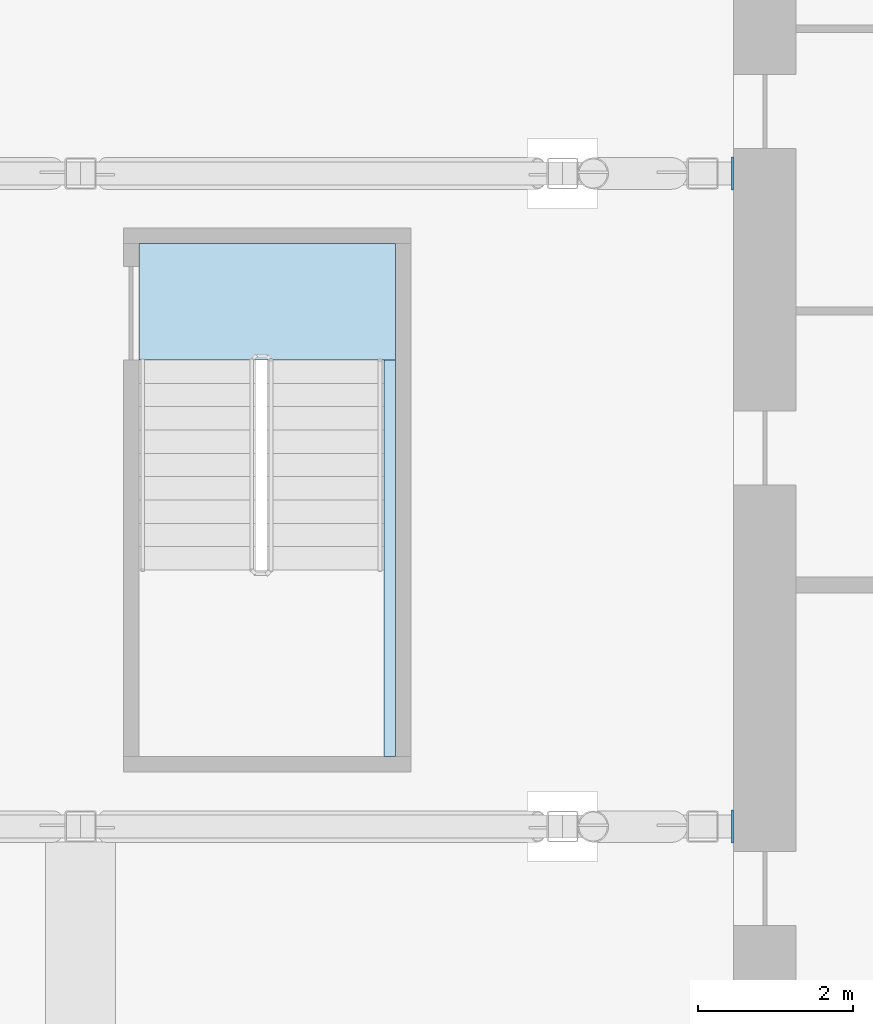
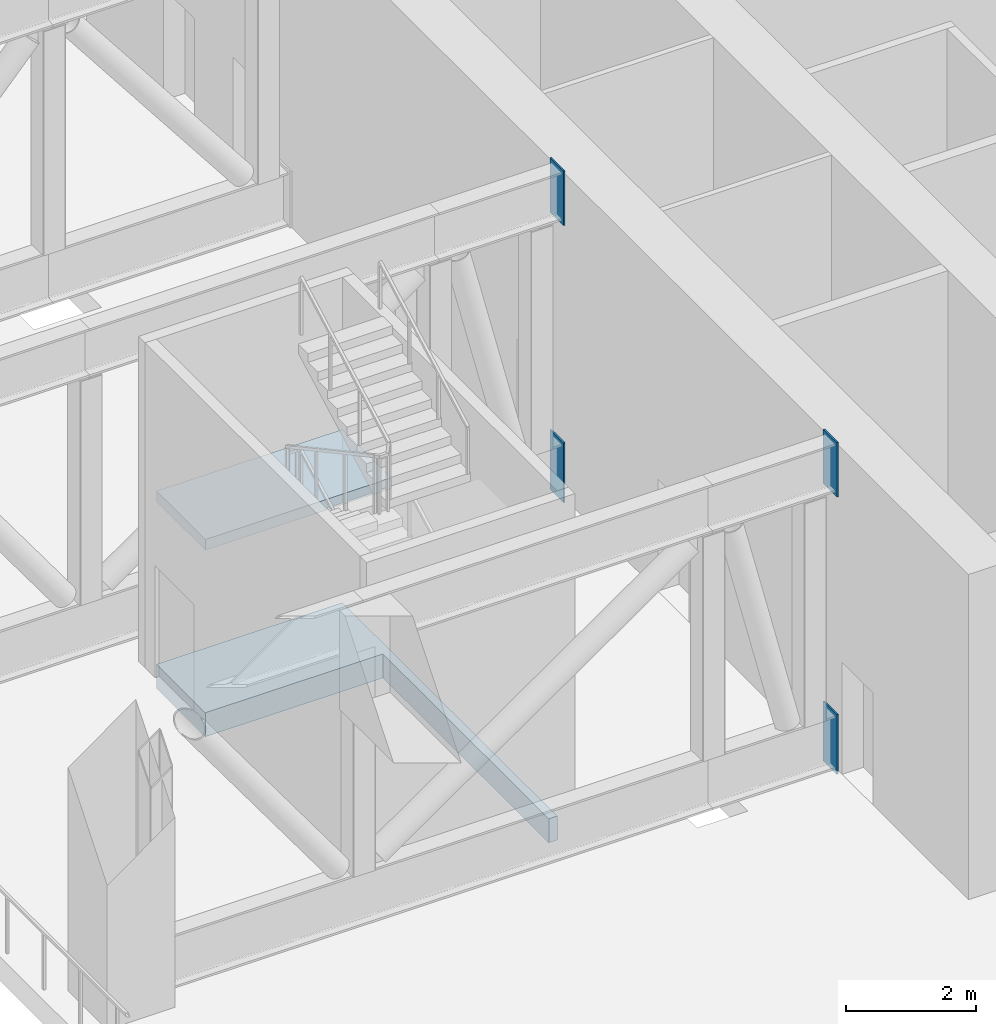
# One storey, part 6 of 23: 4 plates, 2 slabs, 1 element without a shape of its own.
"""IFC4 building model written with IfcOpenShell, lengths in metres."""

import ifcopenshell
import ifcopenshell.guid

model = None  # the IFC model being written
_history = None  # IfcOwnerHistory: only IFC2X3 demands one
_inside = {}  # id of a spatial element -> (the spatial element, [elements in it])
_under = {}  # id of a project, library or spatial element -> (it, [spatial elements below it])
_declared = {}  # id of a project -> (the project, [libraries it declares])
_typed = {}  # id of a type object -> (the type object, [elements of that type])
_made_of = {}  # id of a material, layer set ... -> (it, [elements and type objects made of it])


def new_model(schema):
    """Start an empty IFC model of exactly this schema.

    Asked for "IFC4X3", IfcOpenShell would pick the latest addendum, in which some entities
    have other attributes; the version numbers below select the first issue.
    IFC2X3 requires an IfcOwnerHistory on every rooted entity: one is made here for all.
    """
    global model, _history
    if schema == "IFC4X3":
        model = ifcopenshell.file(schema_version=(4, 3, 0, 0))
    else:
        model = ifcopenshell.file(schema=schema)
    _inside.clear()
    _under.clear()
    _declared.clear()
    _typed.clear()
    _made_of.clear()
    _history = None
    if model.schema == "IFC2X3":
        org = make("IfcOrganization", Name="unknown")
        user = make(
            "IfcPersonAndOrganization",
            ThePerson=make("IfcPerson", FamilyName="unknown"),
            TheOrganization=org,
        )
        app = make(
            "IfcApplication",
            ApplicationDeveloper=org,
            Version="unknown",
            ApplicationFullName="unknown",
            ApplicationIdentifier="unknown",
        )
        _history = make(
            "IfcOwnerHistory",
            OwningUser=user,
            OwningApplication=app,
            ChangeAction="ADDED",
            CreationDate=0,
        )
    return model


def make(cls, **values):
    """One entity of the class cls with the attributes given. An attribute that is None is left unset."""
    return model.create_entity(
        cls, **{name: value for name, value in values.items() if value is not None}
    )


def rooted(cls, **values):
    """An entity with a GlobalId (a new one), such as an element, a storey or a relation."""
    return make(cls, GlobalId=ifcopenshell.guid.new(), OwnerHistory=_history, **values)


def si_unit(unit_type, name, prefix=None):
    """IfcSIUnit, for example si_unit("LENGTHUNIT", "METRE", prefix="MILLI")."""
    return make("IfcSIUnit", UnitType=unit_type, Prefix=prefix, Name=name)


def assignment(units):
    """IfcUnitAssignment: the units of a project."""
    return None if units is None else make("IfcUnitAssignment", Units=units)


def point(xyz):
    """IfcCartesianPoint."""
    return None if xyz is None else make("IfcCartesianPoint", Coordinates=xyz)


def direction(xyz):
    """IfcDirection."""
    return None if xyz is None else make("IfcDirection", DirectionRatios=xyz)


def frame(location, z_axis=None, x_axis=None):
    """IfcAxis2Placement3D, a coordinate frame: its origin and axes. An axis left out is left unset."""
    return make(
        "IfcAxis2Placement3D",
        Location=point(location),
        Axis=direction(z_axis),
        RefDirection=direction(x_axis),
    )


def frame_2d(location, x_axis=None):
    """IfcAxis2Placement2D, a coordinate frame in the plane: its origin and x axis."""
    return make(
        "IfcAxis2Placement2D", Location=point(location), RefDirection=direction(x_axis)
    )


def origin():
    """The frame at (0, 0, 0) with its axes left unset."""
    return frame((0.0, 0.0, 0.0))


def origin_2d():
    """The frame at (0, 0) in the plane with its x axis left unset."""
    return frame_2d((0.0, 0.0))


def place(relative_to, where):
    """IfcLocalPlacement: puts the frame where relative to a parent placement (None: the world)."""
    return make(
        "IfcLocalPlacement", PlacementRelTo=relative_to, RelativePlacement=where
    )


def context(
    kind, dimensions, precision=None, world=None, true_north=None, identifier=None
):
    """IfcGeometricRepresentationContext, for example the 3D "Model" context."""
    return make(
        "IfcGeometricRepresentationContext",
        ContextIdentifier=identifier,
        ContextType=kind,
        CoordinateSpaceDimension=dimensions,
        Precision=precision,
        WorldCoordinateSystem=world,
        TrueNorth=true_north,
    )


def subcontext(parent, identifier, kind, view, scale=None):
    """IfcGeometricRepresentationSubContext, for example "Body" below "Model"."""
    return make(
        "IfcGeometricRepresentationSubContext",
        ContextIdentifier=identifier,
        ContextType=kind,
        ParentContext=parent,
        TargetScale=scale,
        TargetView=view,
    )


def project(units=None, contexts=None):
    """IfcProject with its units and contexts."""
    return rooted(
        "IfcProject",
        Name="project",
        RepresentationContexts=contexts,
        UnitsInContext=assignment(units),
    )


def spatial(cls, under=None, at=None, **own):
    """A site, building, storey or space (cls), placed at a placement, below another one or the project."""
    s = rooted(cls, ObjectPlacement=at, **own)
    if under is not None:
        _under.setdefault(under.id(), (under, []))[1].append(s)
    return s


def polyline(points):
    """IfcPolyline through the points."""
    return make("IfcPolyline", Points=[point(p) for p in points])


def profile(cls, at=None, kind="AREA", **sizes):
    """A parametric profile (cls). Its sizes go by their IFC names, for example OverallWidth=200.0."""
    return make(cls, ProfileType=kind, Position=at, **sizes)


def rectangle(**sizes):
    """IfcRectangleProfileDef."""
    return profile("IfcRectangleProfileDef", **sizes)


def outline(outer, holes=None, kind="AREA"):
    """IfcArbitraryClosedProfileDef: a profile drawn as a closed curve; with holes, ...WithVoids."""
    if holes is None:
        return make("IfcArbitraryClosedProfileDef", ProfileType=kind, OuterCurve=outer)
    return make(
        "IfcArbitraryProfileDefWithVoids",
        ProfileType=kind,
        OuterCurve=outer,
        InnerCurves=holes,
    )


def extrude(swept, where, along, depth):
    """IfcExtrudedAreaSolid: the profile swept, set in the frame where, extruded along a direction by depth."""
    return make(
        "IfcExtrudedAreaSolid",
        SweptArea=swept,
        Position=where,
        ExtrudedDirection=direction(along),
        Depth=depth,
    )


def shape(context_of_items, identifier, shape_type, items):
    """IfcShapeRepresentation: the items that make up one representation, for example the "Body"."""
    return make(
        "IfcShapeRepresentation",
        ContextOfItems=context_of_items,
        RepresentationIdentifier=identifier,
        RepresentationType=shape_type,
        Items=items,
    )


def material(Name=None, Category=None):
    """IfcMaterial."""
    return make("IfcMaterial", Name=Name, Category=Category)


def layer(
    of_material, thickness, ventilated=None, Name=None, Category=None, Priority=None
):
    """IfcMaterialLayer: one layer of a wall or slab, of a material (None: an air gap)."""
    return make(
        "IfcMaterialLayer",
        Material=of_material,
        LayerThickness=thickness,
        IsVentilated=ventilated,
        Name=Name,
        Category=Category,
        Priority=Priority,
    )


def layer_set(layers, Name=None):
    """IfcMaterialLayerSet."""
    return make("IfcMaterialLayerSet", MaterialLayers=layers, LayerSetName=Name)


def made_of(thing, what):
    """Note that an element or type object is made of a material, layer set ...; save() writes the relation."""
    if what is not None:
        _made_of.setdefault(what.id(), (what, []))[1].append(thing)
    return thing


def type_object(cls, material=None, **own):
    """A type object (cls), such as IfcWallType, which elements share."""
    return made_of(rooted(cls, **own), material)


def element(
    cls,
    number,
    at=None,
    inside=None,
    cuts=None,
    type_object=None,
    material=None,
    context=None,
    identifier="Body",
    shape_type=None,
    held_by="IfcProductDefinitionShape",
    body=None,
    shapes=None,
    **own,
):
    """One element of the class cls, such as IfcWall. Its Tag is "e" and its number.

    at: its placement. inside: the storey or other place that contains it. cuts: it is an
    opening in that element (IfcRelVoidsElement). A single representation is given by context,
    identifier, shape_type and body (its items); several are given by shapes. held_by: the class
    of the entity that holds the representations. save() writes the other relations.
    """
    e = rooted(cls, Tag="e%d" % number, ObjectPlacement=at, **own)
    if body is not None:
        shapes = [shape(context, identifier, shape_type, body)]
    if shapes is not None:
        e.Representation = make(held_by, Representations=shapes)
    if inside is not None:
        _inside.setdefault(inside.id(), (inside, []))[1].append(e)
    if cuts is not None:
        rooted(
            "IfcRelVoidsElement", RelatingBuildingElement=cuts, RelatedOpeningElement=e
        )
    if type_object is not None:
        _typed.setdefault(type_object.id(), (type_object, []))[1].append(e)
    return made_of(e, material)


def aggregate(whole, parts):
    """IfcRelAggregates: a whole, such as a stair, and the parts it consists of."""
    return rooted("IfcRelAggregates", RelatingObject=whole, RelatedObjects=parts)


def save(model, path):
    """Write the relations noted so far, then the file.

    IfcRelAggregates (storeys below a building ...), IfcRelContainedInSpatialStructure (elements
    in a storey), IfcRelDefinesByType, IfcRelAssociatesMaterial and IfcRelDeclares: one each for
    every whole, place, type object, material and project.
    """
    for whole, parts in _under.values():
        aggregate(whole, parts)
    for where, things in _inside.values():
        rooted(
            "IfcRelContainedInSpatialStructure",
            RelatedElements=things,
            RelatingStructure=where,
        )
    for kind, things in _typed.values():
        rooted("IfcRelDefinesByType", RelatedObjects=things, RelatingType=kind)
    for what, things in _made_of.values():
        rooted("IfcRelAssociatesMaterial", RelatedObjects=things, RelatingMaterial=what)
    for by, libraries in _declared.values():
        rooted("IfcRelDeclares", RelatingContext=by, RelatedDefinitions=libraries)
    model.write(path)


model = new_model("IFC4")

# Units and contexts
model_context = context("Model", 3, precision=1e-05, world=origin(), true_north=direction((0.0, 1.0)))
body_context = subcontext(model_context, "Body", "Model", "MODEL_VIEW")
ifc_project = project(units=[si_unit("LENGTHUNIT", "METRE"), si_unit("AREAUNIT", "SQUARE_METRE"), si_unit("VOLUMEUNIT", "CUBIC_METRE"), si_unit("PLANEANGLEUNIT", "RADIAN"), si_unit("MASSUNIT", "GRAM", prefix="KILO")], contexts=[model_context])

# Site, building, storey
site_placement = place(None, origin())
site = spatial("IfcSite", under=ifc_project, at=site_placement, CompositionType="ELEMENT")
building_placement = place(site_placement, origin())
building = spatial("IfcBuilding", under=site, at=building_placement, Name="Vermilion Ogive Tower", CompositionType="ELEMENT")
storey_placement = place(building_placement, frame((0.0, 0.0, 121.800048828125)))
storey = spatial("IfcBuildingStorey", under=building, at=storey_placement, Name="L31", CompositionType="ELEMENT", Elevation=121.800048828125)

# Plates
ifc_material_1 = material(Name="Steel S355", Category="steel")
ifc_layer_1 = layer(ifc_material_1, 0.030029296875)
ifc_layer_set_1 = layer_set([ifc_layer_1], Name="Cast-in embed plate 30")
plate_type = type_object("IfcPlateType", Name="Cast-in embed plate 30", PredefinedType="USERDEFINED", material=ifc_layer_set_1)
plate_1_placement = place(storey_placement, frame((-12.614990234375, -4.199951171875, -0.06005859375), z_axis=(0.0, 0.0, 1.0), x_axis=(1.0, 0.0, 0.0)))
element("IfcPlate", 1, at=plate_1_placement, inside=storey, type_object=plate_type, Name="Cast-in embed plate L31-TR-EWW-4.2-B1 end 1", ObjectType="EMBED PLATE", PredefinedType="USERDEFINED", context=body_context, shape_type="SweptSolid", body=[
    extrude(rectangle(XDim=0.030029296875, YDim=0.419921875, at=origin_2d()), origin(), (0.0, 0.0, 1.0), 1.1201171875),
])
plate_2_placement = place(storey_placement, frame((-12.614990234375, -4.199951171875, 5.139892578125), z_axis=(0.0, 0.0, 1.0), x_axis=(1.0, 0.0, 0.0)))
element("IfcPlate", 2, at=plate_2_placement, inside=storey, type_object=plate_type, Name="Cast-in embed plate L31-TR-EWW-4.2-T3 end 1", ObjectType="EMBED PLATE", PredefinedType="USERDEFINED", context=body_context, shape_type="SweptSolid", body=[
    extrude(rectangle(XDim=0.030029296875, YDim=0.419921875, at=origin_2d()), origin(), (0.0, 0.0, 1.0), 1.02001953125),
])
plate_3_placement = place(storey_placement, frame((-12.614990234375, 4.199951171875, -0.06005859375), z_axis=(0.0, 0.0, 1.0), x_axis=(1.0, 0.0, 0.0)))
element("IfcPlate", 3, at=plate_3_placement, inside=storey, type_object=plate_type, Name="Cast-in embed plate L31-TR-EWW+4.2-B1 end 1", ObjectType="EMBED PLATE", PredefinedType="USERDEFINED", context=body_context, shape_type="SweptSolid", body=[
    extrude(rectangle(XDim=0.030029296875, YDim=0.419921875, at=origin_2d()), origin(), (0.0, 0.0, 1.0), 1.1201171875),
])
plate_4_placement = place(storey_placement, frame((-12.614990234375, 4.199951171875, 5.139892578125), z_axis=(0.0, 0.0, 1.0), x_axis=(1.0, 0.0, 0.0)))
element("IfcPlate", 4, at=plate_4_placement, inside=storey, type_object=plate_type, Name="Cast-in embed plate L31-TR-EWW+4.2-T3 end 1", ObjectType="EMBED PLATE", PredefinedType="USERDEFINED", context=body_context, shape_type="SweptSolid", body=[
    extrude(rectangle(XDim=0.030029296875, YDim=0.419921875, at=origin_2d()), origin(), (0.0, 0.0, 1.0), 1.02001953125),
])

# Slab
ifc_material_2 = material(Name="Concrete B40", Category="concrete")
ifc_layer_2 = layer(ifc_material_2, 0.449951171875)
ifc_layer_set_2 = layer_set([ifc_layer_2], Name="Core floor slab 450 B40")
slab_type_1 = type_object("IfcSlabType", Name="Core floor slab 450 B40", PredefinedType="FLOOR", material=ifc_layer_set_2)
slab_1_placement = place(storey_placement, frame((0.0, 0.0, -0.449951171875)))
element("IfcSlab", 5, at=slab_1_placement, inside=storey, type_object=slab_type_1, Name="L31-SF-ST9-1", PredefinedType="FLOOR", context=body_context, shape_type="SweptSolid", body=[
    extrude(outline(polyline([(-20.25, 3.300048828125), (-20.25, 1.798095703125), (-18.75, 1.798095703125), (-18.75, 1.800048828125), (-18.60009765625, 1.800048828125), (-18.60009765625, 1.798095703125), (-17.10009765625, 1.798095703125), (-17.10009765625, -3.300048828125), (-16.949951171875, -3.300048828125), (-16.949951171875, 3.300048828125), (-20.25, 3.300048828125)])), origin(), (0.0, 0.0, 1.0), 0.449951171875),
])

# Stair, slab
ifc_material_3 = material(Name="Concrete B40", Category="concrete")
stair_type = type_object("IfcStairType", Name="Exit stair 1500", PredefinedType="HALF_TURN_STAIR", material=ifc_material_3)
stair_placement = place(storey_placement, origin())
stair = element("IfcStair", 6, at=stair_placement, inside=storey, type_object=stair_type, Name="L31 Exit Stair ST9", PredefinedType="HALF_TURN_STAIR")
ifc_material_4 = material(Name="Concrete B40", Category="concrete")
ifc_layer_3 = layer(ifc_material_4, 0.199951171875)
ifc_layer_set_3 = layer_set([ifc_layer_3], Name="Stair landing 200")
slab_type_2 = type_object("IfcSlabType", Name="Stair landing 200", PredefinedType="LANDING", material=ifc_layer_set_3)
slab_2_placement = place(storey_placement, frame((0.0, 0.0, 3.050048828125)))
slab_2 = element("IfcSlab", 7, at=slab_2_placement, type_object=slab_type_2, Name="ST9 landing 2", PredefinedType="LANDING", context=body_context, shape_type="SweptSolid", body=[
    extrude(outline(polyline([(-20.25, 3.300048828125), (-20.25, 1.798095703125), (-18.75, 1.798095703125), (-18.75, 1.800048828125), (-18.60009765625, 1.800048828125), (-18.60009765625, 1.798095703125), (-17.10009765625, 1.798095703125), (-17.10009765625, 1.800048828125), (-16.949951171875, 1.800048828125), (-16.949951171875, 3.300048828125), (-20.25, 3.300048828125)])), origin(), (0.0, 0.0, 1.0), 0.199951171875),
])
aggregate(stair, [slab_2])

save(model, "model.ifc")
